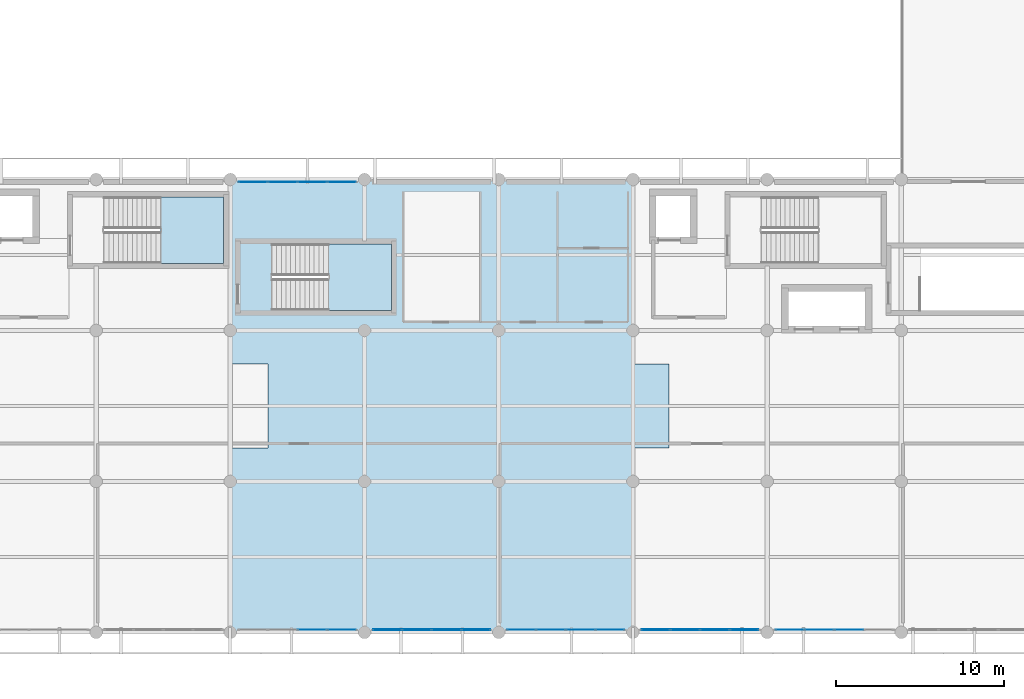
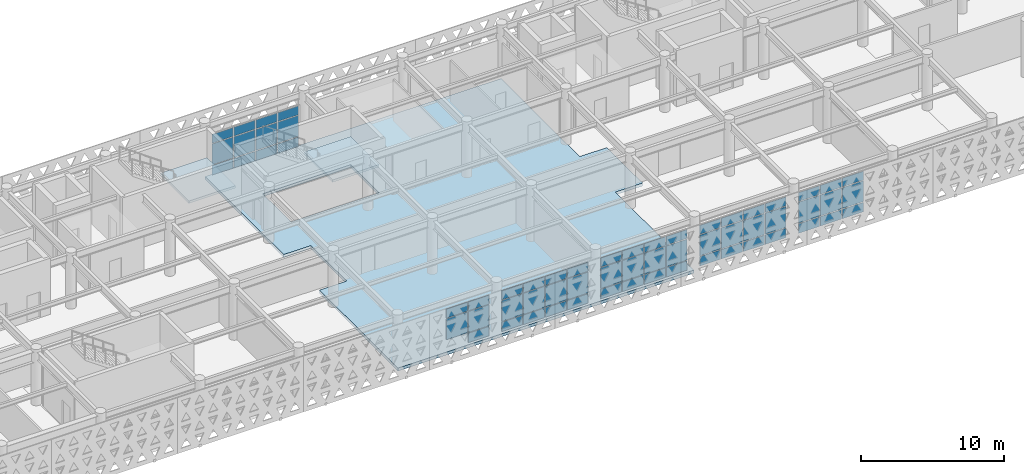
# One storey, part 18 of 33: 62 plates, 3 slabs, 8 elements without a shape of their own.
"""IFC4 building model written with IfcOpenShell, lengths in metres."""

from ifc_helpers import new_model, si_unit, direction, frame, origin, origin_2d, place, context, subcontext, project, spatial, polyline, rectangle, outline, extrude, material, layer, layer_set, type_object, element, aggregate, save


model = new_model("IFC4")

# Units and contexts
model_context = context("Model", 3, precision=1e-05, world=origin(), true_north=direction((0.0, 1.0)))
body_context = subcontext(model_context, "Body", "Model", "MODEL_VIEW")
ifc_project = project(units=[si_unit("LENGTHUNIT", "METRE"), si_unit("AREAUNIT", "SQUARE_METRE"), si_unit("VOLUMEUNIT", "CUBIC_METRE"), si_unit("PLANEANGLEUNIT", "RADIAN"), si_unit("MASSUNIT", "GRAM", prefix="KILO")], contexts=[model_context])

# Site, building, storey
site_placement = place(None, origin())
site = spatial("IfcSite", under=ifc_project, at=site_placement, CompositionType="ELEMENT")
building_placement = place(site_placement, origin())
building = spatial("IfcBuilding", under=site, at=building_placement, Name="Tlacozan Convention Centre", CompositionType="ELEMENT")
storey_placement = place(building_placement, frame((0.0, 0.0, 16.199951171875)))
storey = spatial("IfcBuildingStorey", under=building, at=storey_placement, Name="L03", CompositionType="ELEMENT", Elevation=16.199951171875)

# Curtain wall, plates
ifc_material_1 = material(Name="Dark Bronze Anodised Aluminium", Category="aluminium")
ifc_layer_1 = layer(ifc_material_1, 0.159912109375)
ifc_layer_set_1 = layer_set([ifc_layer_1], Name="Dark Bronze Anodised Aluminium")
curtain_wall_type = type_object("IfcCurtainWallType", Name="Unitised Congress L03 South CW04", PredefinedType="NOTDEFINED", material=ifc_layer_set_1)
curtain_wall_1_placement = place(storey_placement, origin())
curtain_wall_1 = element("IfcCurtainWall", 1, at=curtain_wall_1_placement, inside=storey, type_object=curtain_wall_type, Name="L03 CW-04 Run 117", PredefinedType="NOTDEFINED")
ifc_material_2 = material(Name="Solar Control Double Low-E Argon Glazing", Category="glass")
ifc_layer_2 = layer(ifc_material_2, 0.030029296875)
ifc_layer_set_2 = layer_set([ifc_layer_2], Name="Solar Control Double Low-E Argon Glazing")
plate_type_1 = type_object("IfcPlateType", Name="Double Low-E Acoustic CW Panel 30", PredefinedType="CURTAIN_PANEL", material=ifc_layer_set_2)
plate_1_placement = place(storey_placement, frame((49.353759765625, 26.840087890625, 0.06494140625), z_axis=(0.0, 0.0, 1.0), x_axis=(1.0, 0.0, 0.0)))
plate_1 = element("IfcPlate", 2, at=plate_1_placement, type_object=plate_type_1, Name="CW-04 panel 1.1", PredefinedType="CURTAIN_PANEL", context=body_context, shape_type="SweptSolid", body=[
    extrude(rectangle(XDim=1.677490234375, YDim=0.030029296875, at=origin_2d()), origin(), (0.0, 0.0, 1.0), 0.802490234375),
])
plate_2_placement = place(storey_placement, frame((49.353759765625, 26.840087890625, 0.9326171875), z_axis=(0.0, 0.0, 1.0), x_axis=(1.0, 0.0, 0.0)))
plate_2 = element("IfcPlate", 3, at=plate_2_placement, type_object=plate_type_1, Name="CW-04 panel 1.2", PredefinedType="CURTAIN_PANEL", context=body_context, shape_type="SweptSolid", body=[
    extrude(rectangle(XDim=1.677490234375, YDim=0.030029296875, at=origin_2d()), origin(), (0.0, 0.0, 1.0), 1.784912109375),
])
plate_3_placement = place(storey_placement, frame((49.353759765625, 26.840087890625, 2.782470703125), z_axis=(0.0, 0.0, 1.0), x_axis=(1.0, 0.0, 0.0)))
plate_3 = element("IfcPlate", 4, at=plate_3_placement, type_object=plate_type_1, Name="CW-04 panel 1.3", PredefinedType="CURTAIN_PANEL", context=body_context, shape_type="SweptSolid", body=[
    extrude(rectangle(XDim=1.677490234375, YDim=0.030029296875, at=origin_2d()), origin(), (0.0, 0.0, 1.0), 0.75244140625),
])
plate_4_placement = place(storey_placement, frame((51.112548828125, 26.840087890625, 0.06494140625), z_axis=(0.0, 0.0, 1.0), x_axis=(1.0, 0.0, 0.0)))
plate_4 = element("IfcPlate", 5, at=plate_4_placement, type_object=plate_type_1, Name="CW-04 panel 2.1", PredefinedType="CURTAIN_PANEL", context=body_context, shape_type="SweptSolid", body=[
    extrude(rectangle(XDim=1.7099609375, YDim=0.030029296875, at=origin_2d()), origin(), (0.0, 0.0, 1.0), 0.802490234375),
])
plate_5_placement = place(storey_placement, frame((51.112548828125, 26.840087890625, 0.9326171875), z_axis=(0.0, 0.0, 1.0), x_axis=(1.0, 0.0, 0.0)))
plate_5 = element("IfcPlate", 6, at=plate_5_placement, type_object=plate_type_1, Name="CW-04 panel 2.2", PredefinedType="CURTAIN_PANEL", context=body_context, shape_type="SweptSolid", body=[
    extrude(rectangle(XDim=1.7099609375, YDim=0.030029296875, at=origin_2d()), origin(), (0.0, 0.0, 1.0), 1.784912109375),
])
plate_6_placement = place(storey_placement, frame((51.112548828125, 26.840087890625, 2.782470703125), z_axis=(0.0, 0.0, 1.0), x_axis=(1.0, 0.0, 0.0)))
plate_6 = element("IfcPlate", 7, at=plate_6_placement, type_object=plate_type_1, Name="CW-04 panel 2.3", PredefinedType="CURTAIN_PANEL", context=body_context, shape_type="SweptSolid", body=[
    extrude(rectangle(XDim=1.7099609375, YDim=0.030029296875, at=origin_2d()), origin(), (0.0, 0.0, 1.0), 0.75244140625),
])
plate_7_placement = place(storey_placement, frame((52.887451171875, 26.840087890625, 0.06494140625), z_axis=(0.0, 0.0, 1.0), x_axis=(1.0, 0.0, 0.0)))
plate_7 = element("IfcPlate", 8, at=plate_7_placement, type_object=plate_type_1, Name="CW-04 panel 3.1", PredefinedType="CURTAIN_PANEL", context=body_context, shape_type="SweptSolid", body=[
    extrude(rectangle(XDim=1.7099609375, YDim=0.030029296875, at=origin_2d()), origin(), (0.0, 0.0, 1.0), 0.802490234375),
])
plate_8_placement = place(storey_placement, frame((52.887451171875, 26.840087890625, 0.9326171875), z_axis=(0.0, 0.0, 1.0), x_axis=(1.0, 0.0, 0.0)))
plate_8 = element("IfcPlate", 9, at=plate_8_placement, type_object=plate_type_1, Name="CW-04 panel 3.2", PredefinedType="CURTAIN_PANEL", context=body_context, shape_type="SweptSolid", body=[
    extrude(rectangle(XDim=1.7099609375, YDim=0.030029296875, at=origin_2d()), origin(), (0.0, 0.0, 1.0), 1.784912109375),
])
plate_9_placement = place(storey_placement, frame((52.887451171875, 26.840087890625, 2.782470703125), z_axis=(0.0, 0.0, 1.0), x_axis=(1.0, 0.0, 0.0)))
plate_9 = element("IfcPlate", 10, at=plate_9_placement, type_object=plate_type_1, Name="CW-04 panel 3.3", PredefinedType="CURTAIN_PANEL", context=body_context, shape_type="SweptSolid", body=[
    extrude(rectangle(XDim=1.7099609375, YDim=0.030029296875, at=origin_2d()), origin(), (0.0, 0.0, 1.0), 0.75244140625),
])
plate_10_placement = place(storey_placement, frame((54.646240234375, 26.840087890625, 0.06494140625), z_axis=(0.0, 0.0, 1.0), x_axis=(1.0, 0.0, 0.0)))
plate_10 = element("IfcPlate", 11, at=plate_10_placement, type_object=plate_type_1, Name="CW-04 panel 4.1", PredefinedType="CURTAIN_PANEL", context=body_context, shape_type="SweptSolid", body=[
    extrude(rectangle(XDim=1.677490234375, YDim=0.030029296875, at=origin_2d()), origin(), (0.0, 0.0, 1.0), 0.802490234375),
])
plate_11_placement = place(storey_placement, frame((54.646240234375, 26.840087890625, 0.9326171875), z_axis=(0.0, 0.0, 1.0), x_axis=(1.0, 0.0, 0.0)))
plate_11 = element("IfcPlate", 12, at=plate_11_placement, type_object=plate_type_1, Name="CW-04 panel 4.2", PredefinedType="CURTAIN_PANEL", context=body_context, shape_type="SweptSolid", body=[
    extrude(rectangle(XDim=1.677490234375, YDim=0.030029296875, at=origin_2d()), origin(), (0.0, 0.0, 1.0), 1.784912109375),
])
plate_12_placement = place(storey_placement, frame((54.646240234375, 26.840087890625, 2.782470703125), z_axis=(0.0, 0.0, 1.0), x_axis=(1.0, 0.0, 0.0)))
plate_12 = element("IfcPlate", 13, at=plate_12_placement, type_object=plate_type_1, Name="CW-04 panel 4.3", PredefinedType="CURTAIN_PANEL", context=body_context, shape_type="SweptSolid", body=[
    extrude(rectangle(XDim=1.677490234375, YDim=0.030029296875, at=origin_2d()), origin(), (0.0, 0.0, 1.0), 0.75244140625),
])
aggregate(curtain_wall_1, [plate_1, plate_2, plate_3, plate_4, plate_5, plate_6, plate_7, plate_8, plate_9, plate_10, plate_11, plate_12])

curtain_wall_2_placement = place(storey_placement, origin())
curtain_wall_2 = element("IfcCurtainWall", 14, at=curtain_wall_2_placement, inside=storey, type_object=curtain_wall_type, Name="L03 CW-04 Run 106", PredefinedType="NOTDEFINED")
ifc_layer_3 = layer(ifc_material_2, 0.02001953125)
ifc_layer_set_3 = layer_set([ifc_layer_3], Name="Solar Control Double Low-E Argon Glazing")
plate_type_2 = type_object("IfcPlateType", Name="Double Low-E Glazed CW Panel 20", PredefinedType="CURTAIN_PANEL", material=ifc_layer_set_3)
plate_13_placement = place(storey_placement, frame((52.887451171875, 0.159912109375, 0.9326171875), z_axis=(0.0, 0.0, 1.0), x_axis=(1.0, 0.0, 0.0)))
plate_13 = element("IfcPlate", 15, at=plate_13_placement, type_object=plate_type_2, Name="CW-04 panel 3.2", PredefinedType="CURTAIN_PANEL", context=body_context, shape_type="SweptSolid", body=[
    extrude(rectangle(XDim=1.7099609375, YDim=0.02001953125, at=origin_2d()), origin(), (0.0, 0.0, 1.0), 1.784912109375),
])
plate_14_placement = place(storey_placement, frame((52.887451171875, 0.159912109375, 2.782470703125), z_axis=(0.0, 0.0, 1.0), x_axis=(1.0, 0.0, 0.0)))
plate_14 = element("IfcPlate", 16, at=plate_14_placement, type_object=plate_type_2, Name="CW-04 panel 3.3", PredefinedType="CURTAIN_PANEL", context=body_context, shape_type="SweptSolid", body=[
    extrude(rectangle(XDim=1.7099609375, YDim=0.02001953125, at=origin_2d()), origin(), (0.0, 0.0, 1.0), 0.75244140625),
])
plate_15_placement = place(storey_placement, frame((54.646240234375, 0.159912109375, 0.06494140625), z_axis=(0.0, 0.0, 1.0), x_axis=(1.0, 0.0, 0.0)))
plate_15 = element("IfcPlate", 17, at=plate_15_placement, type_object=plate_type_2, Name="CW-04 panel 4.1", PredefinedType="CURTAIN_PANEL", context=body_context, shape_type="SweptSolid", body=[
    extrude(rectangle(XDim=1.677490234375, YDim=0.02001953125, at=origin_2d()), origin(), (0.0, 0.0, 1.0), 0.802490234375),
])
plate_16_placement = place(storey_placement, frame((54.646240234375, 0.159912109375, 0.9326171875), z_axis=(0.0, 0.0, 1.0), x_axis=(1.0, 0.0, 0.0)))
plate_16 = element("IfcPlate", 18, at=plate_16_placement, type_object=plate_type_2, Name="CW-04 panel 4.2", PredefinedType="CURTAIN_PANEL", context=body_context, shape_type="SweptSolid", body=[
    extrude(rectangle(XDim=1.677490234375, YDim=0.02001953125, at=origin_2d()), origin(), (0.0, 0.0, 1.0), 1.784912109375),
])
plate_17_placement = place(storey_placement, frame((54.646240234375, 0.159912109375, 2.782470703125), z_axis=(0.0, 0.0, 1.0), x_axis=(1.0, 0.0, 0.0)))
plate_17 = element("IfcPlate", 19, at=plate_17_placement, type_object=plate_type_2, Name="CW-04 panel 4.3", PredefinedType="CURTAIN_PANEL", context=body_context, shape_type="SweptSolid", body=[
    extrude(rectangle(XDim=1.677490234375, YDim=0.02001953125, at=origin_2d()), origin(), (0.0, 0.0, 1.0), 0.75244140625),
])
aggregate(curtain_wall_2, [plate_13, plate_14, plate_15, plate_16, plate_17])

curtain_wall_3_placement = place(storey_placement, origin())
curtain_wall_3 = element("IfcCurtainWall", 20, at=curtain_wall_3_placement, inside=storey, type_object=curtain_wall_type, Name="L03 CW-04 Run 108", PredefinedType="NOTDEFINED")
plate_18_placement = place(storey_placement, frame((65.353759765625, 0.159912109375, 0.06494140625), z_axis=(0.0, 0.0, 1.0), x_axis=(1.0, 0.0, 0.0)))
plate_18 = element("IfcPlate", 21, at=plate_18_placement, type_object=plate_type_2, Name="CW-04 panel 1.1", PredefinedType="CURTAIN_PANEL", context=body_context, shape_type="SweptSolid", body=[
    extrude(rectangle(XDim=1.677490234375, YDim=0.02001953125, at=origin_2d()), origin(), (0.0, 0.0, 1.0), 0.802490234375),
])
plate_19_placement = place(storey_placement, frame((65.353759765625, 0.159912109375, 0.9326171875), z_axis=(0.0, 0.0, 1.0), x_axis=(1.0, 0.0, 0.0)))
plate_19 = element("IfcPlate", 22, at=plate_19_placement, type_object=plate_type_2, Name="CW-04 panel 1.2", PredefinedType="CURTAIN_PANEL", context=body_context, shape_type="SweptSolid", body=[
    extrude(rectangle(XDim=1.677490234375, YDim=0.02001953125, at=origin_2d()), origin(), (0.0, 0.0, 1.0), 1.784912109375),
])
plate_20_placement = place(storey_placement, frame((65.353759765625, 0.159912109375, 2.782470703125), z_axis=(0.0, 0.0, 1.0), x_axis=(1.0, 0.0, 0.0)))
plate_20 = element("IfcPlate", 23, at=plate_20_placement, type_object=plate_type_2, Name="CW-04 panel 1.3", PredefinedType="CURTAIN_PANEL", context=body_context, shape_type="SweptSolid", body=[
    extrude(rectangle(XDim=1.677490234375, YDim=0.02001953125, at=origin_2d()), origin(), (0.0, 0.0, 1.0), 0.75244140625),
])
plate_21_placement = place(storey_placement, frame((67.112548828125, 0.159912109375, 0.06494140625), z_axis=(0.0, 0.0, 1.0), x_axis=(1.0, 0.0, 0.0)))
plate_21 = element("IfcPlate", 24, at=plate_21_placement, type_object=plate_type_2, Name="CW-04 panel 2.1", PredefinedType="CURTAIN_PANEL", context=body_context, shape_type="SweptSolid", body=[
    extrude(rectangle(XDim=1.7099609375, YDim=0.02001953125, at=origin_2d()), origin(), (0.0, 0.0, 1.0), 0.802490234375),
])
plate_22_placement = place(storey_placement, frame((67.112548828125, 0.159912109375, 0.9326171875), z_axis=(0.0, 0.0, 1.0), x_axis=(1.0, 0.0, 0.0)))
plate_22 = element("IfcPlate", 25, at=plate_22_placement, type_object=plate_type_2, Name="CW-04 panel 2.2", PredefinedType="CURTAIN_PANEL", context=body_context, shape_type="SweptSolid", body=[
    extrude(rectangle(XDim=1.7099609375, YDim=0.02001953125, at=origin_2d()), origin(), (0.0, 0.0, 1.0), 1.784912109375),
])
plate_23_placement = place(storey_placement, frame((67.112548828125, 0.159912109375, 2.782470703125), z_axis=(0.0, 0.0, 1.0), x_axis=(1.0, 0.0, 0.0)))
plate_23 = element("IfcPlate", 26, at=plate_23_placement, type_object=plate_type_2, Name="CW-04 panel 2.3", PredefinedType="CURTAIN_PANEL", context=body_context, shape_type="SweptSolid", body=[
    extrude(rectangle(XDim=1.7099609375, YDim=0.02001953125, at=origin_2d()), origin(), (0.0, 0.0, 1.0), 0.75244140625),
])
plate_24_placement = place(storey_placement, frame((68.887451171875, 0.159912109375, 0.06494140625), z_axis=(0.0, 0.0, 1.0), x_axis=(1.0, 0.0, 0.0)))
plate_24 = element("IfcPlate", 27, at=plate_24_placement, type_object=plate_type_2, Name="CW-04 panel 3.1", PredefinedType="CURTAIN_PANEL", context=body_context, shape_type="SweptSolid", body=[
    extrude(rectangle(XDim=1.7099609375, YDim=0.02001953125, at=origin_2d()), origin(), (0.0, 0.0, 1.0), 0.802490234375),
])
plate_25_placement = place(storey_placement, frame((68.887451171875, 0.159912109375, 0.9326171875), z_axis=(0.0, 0.0, 1.0), x_axis=(1.0, 0.0, 0.0)))
plate_25 = element("IfcPlate", 28, at=plate_25_placement, type_object=plate_type_2, Name="CW-04 panel 3.2", PredefinedType="CURTAIN_PANEL", context=body_context, shape_type="SweptSolid", body=[
    extrude(rectangle(XDim=1.7099609375, YDim=0.02001953125, at=origin_2d()), origin(), (0.0, 0.0, 1.0), 1.784912109375),
])
plate_26_placement = place(storey_placement, frame((68.887451171875, 0.159912109375, 2.782470703125), z_axis=(0.0, 0.0, 1.0), x_axis=(1.0, 0.0, 0.0)))
plate_26 = element("IfcPlate", 29, at=plate_26_placement, type_object=plate_type_2, Name="CW-04 panel 3.3", PredefinedType="CURTAIN_PANEL", context=body_context, shape_type="SweptSolid", body=[
    extrude(rectangle(XDim=1.7099609375, YDim=0.02001953125, at=origin_2d()), origin(), (0.0, 0.0, 1.0), 0.75244140625),
])
plate_27_placement = place(storey_placement, frame((70.646240234375, 0.159912109375, 0.06494140625), z_axis=(0.0, 0.0, 1.0), x_axis=(1.0, 0.0, 0.0)))
plate_27 = element("IfcPlate", 30, at=plate_27_placement, type_object=plate_type_2, Name="CW-04 panel 4.1", PredefinedType="CURTAIN_PANEL", context=body_context, shape_type="SweptSolid", body=[
    extrude(rectangle(XDim=1.677490234375, YDim=0.02001953125, at=origin_2d()), origin(), (0.0, 0.0, 1.0), 0.802490234375),
])
plate_28_placement = place(storey_placement, frame((70.646240234375, 0.159912109375, 0.9326171875), z_axis=(0.0, 0.0, 1.0), x_axis=(1.0, 0.0, 0.0)))
plate_28 = element("IfcPlate", 31, at=plate_28_placement, type_object=plate_type_2, Name="CW-04 panel 4.2", PredefinedType="CURTAIN_PANEL", context=body_context, shape_type="SweptSolid", body=[
    extrude(rectangle(XDim=1.677490234375, YDim=0.02001953125, at=origin_2d()), origin(), (0.0, 0.0, 1.0), 1.784912109375),
])
plate_29_placement = place(storey_placement, frame((70.646240234375, 0.159912109375, 2.782470703125), z_axis=(0.0, 0.0, 1.0), x_axis=(1.0, 0.0, 0.0)))
plate_29 = element("IfcPlate", 32, at=plate_29_placement, type_object=plate_type_2, Name="CW-04 panel 4.3", PredefinedType="CURTAIN_PANEL", context=body_context, shape_type="SweptSolid", body=[
    extrude(rectangle(XDim=1.677490234375, YDim=0.02001953125, at=origin_2d()), origin(), (0.0, 0.0, 1.0), 0.75244140625),
])
aggregate(curtain_wall_3, [plate_18, plate_19, plate_20, plate_21, plate_22, plate_23, plate_24, plate_25, plate_26, plate_27, plate_28, plate_29])

curtain_wall_4_placement = place(storey_placement, origin())
curtain_wall_4 = element("IfcCurtainWall", 33, at=curtain_wall_4_placement, inside=storey, type_object=curtain_wall_type, Name="L03 CW-04 Run 110", PredefinedType="NOTDEFINED")
plate_30_placement = place(storey_placement, frame((81.353759765625, 0.159912109375, 0.06494140625), z_axis=(0.0, 0.0, 1.0), x_axis=(1.0, 0.0, 0.0)))
plate_30 = element("IfcPlate", 34, at=plate_30_placement, type_object=plate_type_2, Name="CW-04 panel 1.1", PredefinedType="CURTAIN_PANEL", context=body_context, shape_type="SweptSolid", body=[
    extrude(rectangle(XDim=1.677490234375, YDim=0.02001953125, at=origin_2d()), origin(), (0.0, 0.0, 1.0), 0.802490234375),
])
plate_31_placement = place(storey_placement, frame((81.353759765625, 0.159912109375, 0.9326171875), z_axis=(0.0, 0.0, 1.0), x_axis=(1.0, 0.0, 0.0)))
plate_31 = element("IfcPlate", 35, at=plate_31_placement, type_object=plate_type_2, Name="CW-04 panel 1.2", PredefinedType="CURTAIN_PANEL", context=body_context, shape_type="SweptSolid", body=[
    extrude(rectangle(XDim=1.677490234375, YDim=0.02001953125, at=origin_2d()), origin(), (0.0, 0.0, 1.0), 1.784912109375),
])
plate_32_placement = place(storey_placement, frame((81.353759765625, 0.159912109375, 2.782470703125), z_axis=(0.0, 0.0, 1.0), x_axis=(1.0, 0.0, 0.0)))
plate_32 = element("IfcPlate", 36, at=plate_32_placement, type_object=plate_type_2, Name="CW-04 panel 1.3", PredefinedType="CURTAIN_PANEL", context=body_context, shape_type="SweptSolid", body=[
    extrude(rectangle(XDim=1.677490234375, YDim=0.02001953125, at=origin_2d()), origin(), (0.0, 0.0, 1.0), 0.75244140625),
])
plate_33_placement = place(storey_placement, frame((83.112548828125, 0.159912109375, 0.06494140625), z_axis=(0.0, 0.0, 1.0), x_axis=(1.0, 0.0, 0.0)))
plate_33 = element("IfcPlate", 37, at=plate_33_placement, type_object=plate_type_2, Name="CW-04 panel 2.1", PredefinedType="CURTAIN_PANEL", context=body_context, shape_type="SweptSolid", body=[
    extrude(rectangle(XDim=1.7099609375, YDim=0.02001953125, at=origin_2d()), origin(), (0.0, 0.0, 1.0), 0.802490234375),
])
plate_34_placement = place(storey_placement, frame((83.112548828125, 0.159912109375, 0.9326171875), z_axis=(0.0, 0.0, 1.0), x_axis=(1.0, 0.0, 0.0)))
plate_34 = element("IfcPlate", 38, at=plate_34_placement, type_object=plate_type_2, Name="CW-04 panel 2.2", PredefinedType="CURTAIN_PANEL", context=body_context, shape_type="SweptSolid", body=[
    extrude(rectangle(XDim=1.7099609375, YDim=0.02001953125, at=origin_2d()), origin(), (0.0, 0.0, 1.0), 1.784912109375),
])
plate_35_placement = place(storey_placement, frame((83.112548828125, 0.159912109375, 2.782470703125), z_axis=(0.0, 0.0, 1.0), x_axis=(1.0, 0.0, 0.0)))
plate_35 = element("IfcPlate", 39, at=plate_35_placement, type_object=plate_type_2, Name="CW-04 panel 2.3", PredefinedType="CURTAIN_PANEL", context=body_context, shape_type="SweptSolid", body=[
    extrude(rectangle(XDim=1.7099609375, YDim=0.02001953125, at=origin_2d()), origin(), (0.0, 0.0, 1.0), 0.75244140625),
])
plate_36_placement = place(storey_placement, frame((84.887451171875, 0.159912109375, 0.06494140625), z_axis=(0.0, 0.0, 1.0), x_axis=(1.0, 0.0, 0.0)))
plate_36 = element("IfcPlate", 40, at=plate_36_placement, type_object=plate_type_2, Name="CW-04 panel 3.1", PredefinedType="CURTAIN_PANEL", context=body_context, shape_type="SweptSolid", body=[
    extrude(rectangle(XDim=1.7099609375, YDim=0.02001953125, at=origin_2d()), origin(), (0.0, 0.0, 1.0), 0.802490234375),
])
plate_37_placement = place(storey_placement, frame((84.887451171875, 0.159912109375, 0.9326171875), z_axis=(0.0, 0.0, 1.0), x_axis=(1.0, 0.0, 0.0)))
plate_37 = element("IfcPlate", 41, at=plate_37_placement, type_object=plate_type_2, Name="CW-04 panel 3.2", PredefinedType="CURTAIN_PANEL", context=body_context, shape_type="SweptSolid", body=[
    extrude(rectangle(XDim=1.7099609375, YDim=0.02001953125, at=origin_2d()), origin(), (0.0, 0.0, 1.0), 1.784912109375),
])
plate_38_placement = place(storey_placement, frame((84.887451171875, 0.159912109375, 2.782470703125), z_axis=(0.0, 0.0, 1.0), x_axis=(1.0, 0.0, 0.0)))
plate_38 = element("IfcPlate", 42, at=plate_38_placement, type_object=plate_type_2, Name="CW-04 panel 3.3", PredefinedType="CURTAIN_PANEL", context=body_context, shape_type="SweptSolid", body=[
    extrude(rectangle(XDim=1.7099609375, YDim=0.02001953125, at=origin_2d()), origin(), (0.0, 0.0, 1.0), 0.75244140625),
])
aggregate(curtain_wall_4, [plate_30, plate_31, plate_32, plate_33, plate_34, plate_35, plate_36, plate_37, plate_38])

# Slab
ifc_material_3 = material(Name="Concrete C40/50", Category="concrete")
ifc_layer_4 = layer(ifc_material_3, 0.25)
ifc_layer_set_4 = layer_set([ifc_layer_4], Name="Concrete C40/50")
slab_type_1 = type_object("IfcSlabType", Name="Executive Congress Floor Slab 250", PredefinedType="FLOOR", material=ifc_layer_set_4)
slab_1_placement = place(storey_placement, frame((0.0, 0.0, -0.25)))
element("IfcSlab", 43, at=slab_1_placement, inside=storey, type_object=slab_type_1, Name="L03 Executive Congress Floor Slab 250 80", PredefinedType="FLOOR", context=body_context, shape_type="SweptSolid", body=[
    extrude(outline(polyline([(48.0400390625, 11.0), (50.239990234375, 11.0), (50.239990234375, 16.0), (48.0400390625, 16.0), (48.0400390625, 27.0), (71.9599609375, 27.0), (71.9599609375, 16.0), (74.159912109375, 16.0), (74.159912109375, 11.0), (71.9599609375, 11.0), (71.9599609375, 0.0), (48.0400390625, 0.0), (48.0400390625, 11.0)]), holes=[polyline([(57.60009765625, 19.199951171875), (57.60009765625, 23.159912109375), (50.47998046875, 23.159912109375), (50.47998046875, 19.199951171875), (57.60009765625, 19.199951171875)])]), origin(), (0.0, 0.0, 1.0), 0.25),
])

# Curtain wall, plates
curtain_wall_5_placement = place(storey_placement, origin())
curtain_wall_5 = element("IfcCurtainWall", 44, at=curtain_wall_5_placement, inside=storey, type_object=curtain_wall_type, Name="L03 CW-04 Run 107", PredefinedType="NOTDEFINED")
ifc_layer_5 = layer(ifc_material_2, 0.0400390625)
ifc_layer_set_5 = layer_set([ifc_layer_5], Name="Solar Control Double Low-E Argon Glazing")
plate_type_3 = type_object("IfcPlateType", Name="Insulated Spandrel CW Panel 40", PredefinedType="CURTAIN_PANEL", material=ifc_layer_set_5)
plate_39_placement = place(storey_placement, frame((57.353759765625, 0.159912109375, 0.06494140625), z_axis=(0.0, 0.0, 1.0), x_axis=(1.0, 0.0, 0.0)))
plate_39 = element("IfcPlate", 45, at=plate_39_placement, type_object=plate_type_3, Name="CW-04 panel 1.1", PredefinedType="CURTAIN_PANEL", context=body_context, shape_type="SweptSolid", body=[
    extrude(rectangle(XDim=1.677490234375, YDim=0.0400390625, at=origin_2d()), origin(), (0.0, 0.0, 1.0), 0.802490234375),
])
plate_40_placement = place(storey_placement, frame((57.353759765625, 0.159912109375, 0.9326171875), z_axis=(0.0, 0.0, 1.0), x_axis=(1.0, 0.0, 0.0)))
plate_40 = element("IfcPlate", 46, at=plate_40_placement, type_object=plate_type_3, Name="CW-04 panel 1.2", PredefinedType="CURTAIN_PANEL", context=body_context, shape_type="SweptSolid", body=[
    extrude(rectangle(XDim=1.677490234375, YDim=0.0400390625, at=origin_2d()), origin(), (0.0, 0.0, 1.0), 1.784912109375),
])
plate_41_placement = place(storey_placement, frame((57.353759765625, 0.159912109375, 2.782470703125), z_axis=(0.0, 0.0, 1.0), x_axis=(1.0, 0.0, 0.0)))
plate_41 = element("IfcPlate", 47, at=plate_41_placement, type_object=plate_type_3, Name="CW-04 panel 1.3", PredefinedType="CURTAIN_PANEL", context=body_context, shape_type="SweptSolid", body=[
    extrude(rectangle(XDim=1.677490234375, YDim=0.0400390625, at=origin_2d()), origin(), (0.0, 0.0, 1.0), 0.75244140625),
])
plate_42_placement = place(storey_placement, frame((59.112548828125, 0.159912109375, 0.06494140625), z_axis=(0.0, 0.0, 1.0), x_axis=(1.0, 0.0, 0.0)))
plate_42 = element("IfcPlate", 48, at=plate_42_placement, type_object=plate_type_3, Name="CW-04 panel 2.1", PredefinedType="CURTAIN_PANEL", context=body_context, shape_type="SweptSolid", body=[
    extrude(rectangle(XDim=1.7099609375, YDim=0.0400390625, at=origin_2d()), origin(), (0.0, 0.0, 1.0), 0.802490234375),
])
plate_43_placement = place(storey_placement, frame((59.112548828125, 0.159912109375, 0.9326171875), z_axis=(0.0, 0.0, 1.0), x_axis=(1.0, 0.0, 0.0)))
plate_43 = element("IfcPlate", 49, at=plate_43_placement, type_object=plate_type_3, Name="CW-04 panel 2.2", PredefinedType="CURTAIN_PANEL", context=body_context, shape_type="SweptSolid", body=[
    extrude(rectangle(XDim=1.7099609375, YDim=0.0400390625, at=origin_2d()), origin(), (0.0, 0.0, 1.0), 1.784912109375),
])
plate_44_placement = place(storey_placement, frame((59.112548828125, 0.159912109375, 2.782470703125), z_axis=(0.0, 0.0, 1.0), x_axis=(1.0, 0.0, 0.0)))
plate_44 = element("IfcPlate", 50, at=plate_44_placement, type_object=plate_type_3, Name="CW-04 panel 2.3", PredefinedType="CURTAIN_PANEL", context=body_context, shape_type="SweptSolid", body=[
    extrude(rectangle(XDim=1.7099609375, YDim=0.0400390625, at=origin_2d()), origin(), (0.0, 0.0, 1.0), 0.75244140625),
])
plate_45_placement = place(storey_placement, frame((60.887451171875, 0.159912109375, 0.06494140625), z_axis=(0.0, 0.0, 1.0), x_axis=(1.0, 0.0, 0.0)))
plate_45 = element("IfcPlate", 51, at=plate_45_placement, type_object=plate_type_3, Name="CW-04 panel 3.1", PredefinedType="CURTAIN_PANEL", context=body_context, shape_type="SweptSolid", body=[
    extrude(rectangle(XDim=1.7099609375, YDim=0.0400390625, at=origin_2d()), origin(), (0.0, 0.0, 1.0), 0.802490234375),
])
plate_46_placement = place(storey_placement, frame((60.887451171875, 0.159912109375, 0.9326171875), z_axis=(0.0, 0.0, 1.0), x_axis=(1.0, 0.0, 0.0)))
plate_46 = element("IfcPlate", 52, at=plate_46_placement, type_object=plate_type_3, Name="CW-04 panel 3.2", PredefinedType="CURTAIN_PANEL", context=body_context, shape_type="SweptSolid", body=[
    extrude(rectangle(XDim=1.7099609375, YDim=0.0400390625, at=origin_2d()), origin(), (0.0, 0.0, 1.0), 1.784912109375),
])
plate_47_placement = place(storey_placement, frame((60.887451171875, 0.159912109375, 2.782470703125), z_axis=(0.0, 0.0, 1.0), x_axis=(1.0, 0.0, 0.0)))
plate_47 = element("IfcPlate", 53, at=plate_47_placement, type_object=plate_type_3, Name="CW-04 panel 3.3", PredefinedType="CURTAIN_PANEL", context=body_context, shape_type="SweptSolid", body=[
    extrude(rectangle(XDim=1.7099609375, YDim=0.0400390625, at=origin_2d()), origin(), (0.0, 0.0, 1.0), 0.75244140625),
])
plate_48_placement = place(storey_placement, frame((62.646240234375, 0.159912109375, 0.06494140625), z_axis=(0.0, 0.0, 1.0), x_axis=(1.0, 0.0, 0.0)))
plate_48 = element("IfcPlate", 54, at=plate_48_placement, type_object=plate_type_3, Name="CW-04 panel 4.1", PredefinedType="CURTAIN_PANEL", context=body_context, shape_type="SweptSolid", body=[
    extrude(rectangle(XDim=1.677490234375, YDim=0.0400390625, at=origin_2d()), origin(), (0.0, 0.0, 1.0), 0.802490234375),
])
plate_49_placement = place(storey_placement, frame((62.646240234375, 0.159912109375, 0.9326171875), z_axis=(0.0, 0.0, 1.0), x_axis=(1.0, 0.0, 0.0)))
plate_49 = element("IfcPlate", 55, at=plate_49_placement, type_object=plate_type_3, Name="CW-04 panel 4.2", PredefinedType="CURTAIN_PANEL", context=body_context, shape_type="SweptSolid", body=[
    extrude(rectangle(XDim=1.677490234375, YDim=0.0400390625, at=origin_2d()), origin(), (0.0, 0.0, 1.0), 1.784912109375),
])
plate_50_placement = place(storey_placement, frame((62.646240234375, 0.159912109375, 2.782470703125), z_axis=(0.0, 0.0, 1.0), x_axis=(1.0, 0.0, 0.0)))
plate_50 = element("IfcPlate", 56, at=plate_50_placement, type_object=plate_type_3, Name="CW-04 panel 4.3", PredefinedType="CURTAIN_PANEL", context=body_context, shape_type="SweptSolid", body=[
    extrude(rectangle(XDim=1.677490234375, YDim=0.0400390625, at=origin_2d()), origin(), (0.0, 0.0, 1.0), 0.75244140625),
])
aggregate(curtain_wall_5, [plate_39, plate_40, plate_41, plate_42, plate_43, plate_44, plate_45, plate_46, plate_47, plate_48, plate_49, plate_50])

curtain_wall_6_placement = place(storey_placement, origin())
curtain_wall_6 = element("IfcCurtainWall", 57, at=curtain_wall_6_placement, inside=storey, type_object=curtain_wall_type, Name="L03 CW-04 Run 109", PredefinedType="NOTDEFINED")
plate_51_placement = place(storey_placement, frame((73.353759765625, 0.159912109375, 0.06494140625), z_axis=(0.0, 0.0, 1.0), x_axis=(1.0, 0.0, 0.0)))
plate_51 = element("IfcPlate", 58, at=plate_51_placement, type_object=plate_type_3, Name="CW-04 panel 1.1", PredefinedType="CURTAIN_PANEL", context=body_context, shape_type="SweptSolid", body=[
    extrude(rectangle(XDim=1.677490234375, YDim=0.0400390625, at=origin_2d()), origin(), (0.0, 0.0, 1.0), 0.802490234375),
])
plate_52_placement = place(storey_placement, frame((73.353759765625, 0.159912109375, 0.9326171875), z_axis=(0.0, 0.0, 1.0), x_axis=(1.0, 0.0, 0.0)))
plate_52 = element("IfcPlate", 59, at=plate_52_placement, type_object=plate_type_3, Name="CW-04 panel 1.2", PredefinedType="CURTAIN_PANEL", context=body_context, shape_type="SweptSolid", body=[
    extrude(rectangle(XDim=1.677490234375, YDim=0.0400390625, at=origin_2d()), origin(), (0.0, 0.0, 1.0), 1.784912109375),
])
plate_53_placement = place(storey_placement, frame((73.353759765625, 0.159912109375, 2.782470703125), z_axis=(0.0, 0.0, 1.0), x_axis=(1.0, 0.0, 0.0)))
plate_53 = element("IfcPlate", 60, at=plate_53_placement, type_object=plate_type_3, Name="CW-04 panel 1.3", PredefinedType="CURTAIN_PANEL", context=body_context, shape_type="SweptSolid", body=[
    extrude(rectangle(XDim=1.677490234375, YDim=0.0400390625, at=origin_2d()), origin(), (0.0, 0.0, 1.0), 0.75244140625),
])
plate_54_placement = place(storey_placement, frame((75.112548828125, 0.159912109375, 0.06494140625), z_axis=(0.0, 0.0, 1.0), x_axis=(1.0, 0.0, 0.0)))
plate_54 = element("IfcPlate", 61, at=plate_54_placement, type_object=plate_type_3, Name="CW-04 panel 2.1", PredefinedType="CURTAIN_PANEL", context=body_context, shape_type="SweptSolid", body=[
    extrude(rectangle(XDim=1.7099609375, YDim=0.0400390625, at=origin_2d()), origin(), (0.0, 0.0, 1.0), 0.802490234375),
])
plate_55_placement = place(storey_placement, frame((75.112548828125, 0.159912109375, 0.9326171875), z_axis=(0.0, 0.0, 1.0), x_axis=(1.0, 0.0, 0.0)))
plate_55 = element("IfcPlate", 62, at=plate_55_placement, type_object=plate_type_3, Name="CW-04 panel 2.2", PredefinedType="CURTAIN_PANEL", context=body_context, shape_type="SweptSolid", body=[
    extrude(rectangle(XDim=1.7099609375, YDim=0.0400390625, at=origin_2d()), origin(), (0.0, 0.0, 1.0), 1.784912109375),
])
plate_56_placement = place(storey_placement, frame((75.112548828125, 0.159912109375, 2.782470703125), z_axis=(0.0, 0.0, 1.0), x_axis=(1.0, 0.0, 0.0)))
plate_56 = element("IfcPlate", 63, at=plate_56_placement, type_object=plate_type_3, Name="CW-04 panel 2.3", PredefinedType="CURTAIN_PANEL", context=body_context, shape_type="SweptSolid", body=[
    extrude(rectangle(XDim=1.7099609375, YDim=0.0400390625, at=origin_2d()), origin(), (0.0, 0.0, 1.0), 0.75244140625),
])
plate_57_placement = place(storey_placement, frame((76.887451171875, 0.159912109375, 0.06494140625), z_axis=(0.0, 0.0, 1.0), x_axis=(1.0, 0.0, 0.0)))
plate_57 = element("IfcPlate", 64, at=plate_57_placement, type_object=plate_type_3, Name="CW-04 panel 3.1", PredefinedType="CURTAIN_PANEL", context=body_context, shape_type="SweptSolid", body=[
    extrude(rectangle(XDim=1.7099609375, YDim=0.0400390625, at=origin_2d()), origin(), (0.0, 0.0, 1.0), 0.802490234375),
])
plate_58_placement = place(storey_placement, frame((76.887451171875, 0.159912109375, 0.9326171875), z_axis=(0.0, 0.0, 1.0), x_axis=(1.0, 0.0, 0.0)))
plate_58 = element("IfcPlate", 65, at=plate_58_placement, type_object=plate_type_3, Name="CW-04 panel 3.2", PredefinedType="CURTAIN_PANEL", context=body_context, shape_type="SweptSolid", body=[
    extrude(rectangle(XDim=1.7099609375, YDim=0.0400390625, at=origin_2d()), origin(), (0.0, 0.0, 1.0), 1.784912109375),
])
plate_59_placement = place(storey_placement, frame((76.887451171875, 0.159912109375, 2.782470703125), z_axis=(0.0, 0.0, 1.0), x_axis=(1.0, 0.0, 0.0)))
plate_59 = element("IfcPlate", 66, at=plate_59_placement, type_object=plate_type_3, Name="CW-04 panel 3.3", PredefinedType="CURTAIN_PANEL", context=body_context, shape_type="SweptSolid", body=[
    extrude(rectangle(XDim=1.7099609375, YDim=0.0400390625, at=origin_2d()), origin(), (0.0, 0.0, 1.0), 0.75244140625),
])
plate_60_placement = place(storey_placement, frame((78.646240234375, 0.159912109375, 0.06494140625), z_axis=(0.0, 0.0, 1.0), x_axis=(1.0, 0.0, 0.0)))
plate_60 = element("IfcPlate", 67, at=plate_60_placement, type_object=plate_type_3, Name="CW-04 panel 4.1", PredefinedType="CURTAIN_PANEL", context=body_context, shape_type="SweptSolid", body=[
    extrude(rectangle(XDim=1.677490234375, YDim=0.0400390625, at=origin_2d()), origin(), (0.0, 0.0, 1.0), 0.802490234375),
])
plate_61_placement = place(storey_placement, frame((78.646240234375, 0.159912109375, 0.9326171875), z_axis=(0.0, 0.0, 1.0), x_axis=(1.0, 0.0, 0.0)))
plate_61 = element("IfcPlate", 68, at=plate_61_placement, type_object=plate_type_3, Name="CW-04 panel 4.2", PredefinedType="CURTAIN_PANEL", context=body_context, shape_type="SweptSolid", body=[
    extrude(rectangle(XDim=1.677490234375, YDim=0.0400390625, at=origin_2d()), origin(), (0.0, 0.0, 1.0), 1.784912109375),
])
plate_62_placement = place(storey_placement, frame((78.646240234375, 0.159912109375, 2.782470703125), z_axis=(0.0, 0.0, 1.0), x_axis=(1.0, 0.0, 0.0)))
plate_62 = element("IfcPlate", 69, at=plate_62_placement, type_object=plate_type_3, Name="CW-04 panel 4.3", PredefinedType="CURTAIN_PANEL", context=body_context, shape_type="SweptSolid", body=[
    extrude(rectangle(XDim=1.677490234375, YDim=0.0400390625, at=origin_2d()), origin(), (0.0, 0.0, 1.0), 0.75244140625),
])
aggregate(curtain_wall_6, [plate_51, plate_52, plate_53, plate_54, plate_55, plate_56, plate_57, plate_58, plate_59, plate_60, plate_61, plate_62])

# Stair, slab
stair_type = type_object("IfcStairType", Name="Protected Dogleg Stair W188 H48", PredefinedType="HALF_TURN_STAIR", material=ifc_material_3)
stair_1_placement = place(storey_placement, origin())
stair_1 = element("IfcStair", 70, at=stair_1_placement, inside=storey, type_object=stair_type, Name="L03 Central Congress Core Stair ST-04", PredefinedType="HALF_TURN_STAIR")
ifc_layer_6 = layer(ifc_material_3, 0.199951171875)
ifc_layer_set_6 = layer_set([ifc_layer_6], Name="Concrete C40/50")
slab_type_2 = type_object("IfcSlabType", Name="Stair Half Landing Slab 200", PredefinedType="LANDING", material=ifc_layer_set_6)
slab_2_placement = place(storey_placement, frame((0.0, 0.0, 2.199951171875)))
slab_2 = element("IfcSlab", 71, at=slab_2_placement, type_object=slab_type_2, Name="ST-04 landing 1", PredefinedType="LANDING", context=body_context, shape_type="SweptSolid", body=[
    extrude(outline(polyline([(43.840087890625, 22.0), (47.60009765625, 22.0), (47.60009765625, 25.9599609375), (43.840087890625, 25.9599609375), (43.840087890625, 22.0)])), origin(), (0.0, 0.0, 1.0), 0.2001953125),
])
aggregate(stair_1, [slab_2])

stair_2_placement = place(storey_placement, origin())
stair_2 = element("IfcStair", 72, at=stair_2_placement, inside=storey, type_object=stair_type, Name="L03 Central Promenade Congress Stair", PredefinedType="HALF_TURN_STAIR")
slab_3_placement = place(storey_placement, frame((0.0, 0.0, 2.199951171875)))
slab_3 = element("IfcSlab", 73, at=slab_3_placement, type_object=slab_type_2, Name="ST-14 landing 1", PredefinedType="LANDING", context=body_context, shape_type="SweptSolid", body=[
    extrude(outline(polyline([(53.840087890625, 19.199951171875), (57.60009765625, 19.199951171875), (57.60009765625, 23.159912109375), (53.840087890625, 23.159912109375), (53.840087890625, 19.199951171875)])), origin(), (0.0, 0.0, 1.0), 0.2001953125),
])
aggregate(stair_2, [slab_3])

save(model, "model.ifc")
